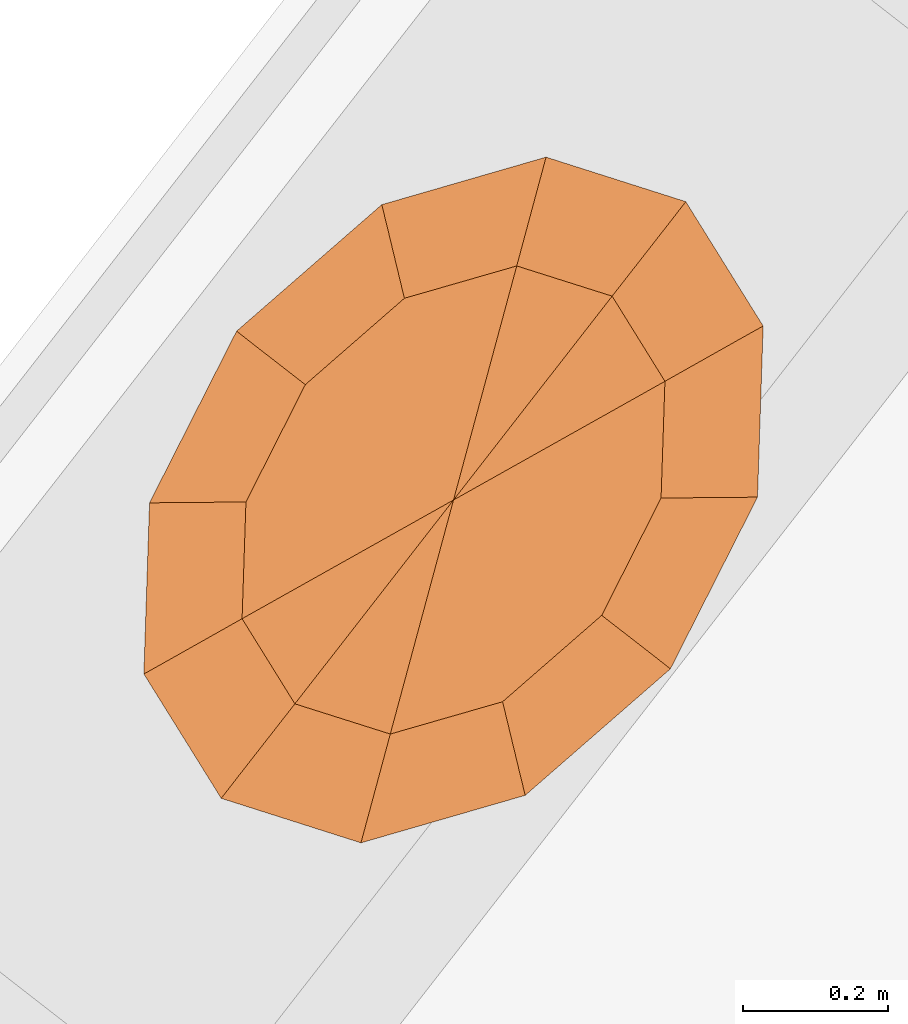
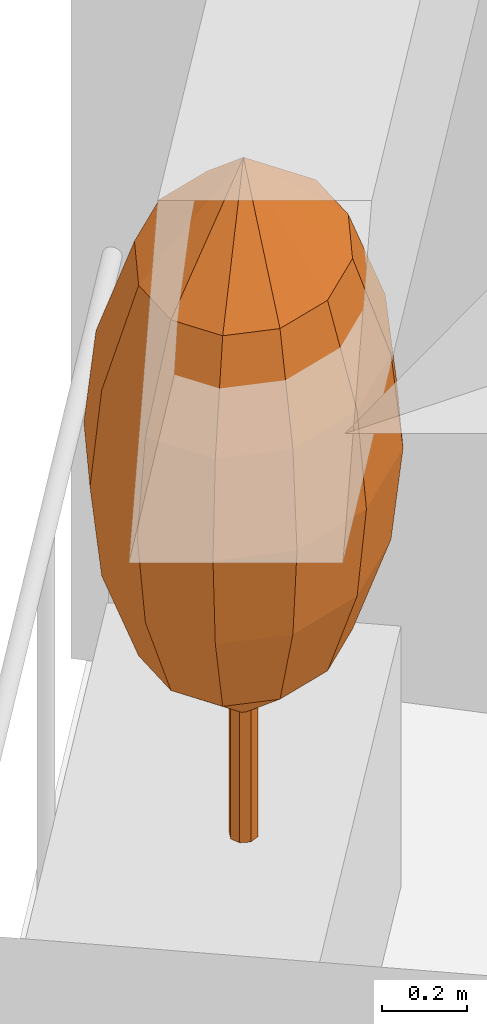
# One storey, part 12 of 12: 1 geographic element.
"""IFC4 building model written with IfcOpenShell, lengths in metres."""

from ifc_helpers import new_model, si_unit, direction, frame, origin, place, context, subcontext, project, spatial, faceted_brep, material, constituent, constituent_set, type_object, element, save


model = new_model("IFC4")

# Units and contexts
model_context = context("Model", 3, precision=1e-05, world=origin(), true_north=direction((0.0, 1.0)))
body_context = subcontext(model_context, "Body", "Model", "MODEL_VIEW")
ifc_project = project(units=[si_unit("LENGTHUNIT", "METRE"), si_unit("AREAUNIT", "SQUARE_METRE"), si_unit("VOLUMEUNIT", "CUBIC_METRE"), si_unit("PLANEANGLEUNIT", "RADIAN"), si_unit("MASSUNIT", "GRAM", prefix="KILO")], contexts=[model_context])

# Site, building, storey
site_placement = place(None, origin())
site = spatial("IfcSite", under=ifc_project, at=site_placement, CompositionType="ELEMENT")
building_placement = place(site_placement, origin())
building = spatial("IfcBuilding", under=site, at=building_placement, Name="Taillehof Tower", CompositionType="ELEMENT")
storey_placement = place(building_placement, frame((0.0, 0.0, 202.39990234375)))
storey = spatial("IfcBuildingStorey", under=building, at=storey_placement, Name="L57", CompositionType="ELEMENT", Elevation=202.39990234375)

# Geographic element
ifc_material_1 = material(Name="Tree bark", Category="timber")
ifc_constituent_1 = constituent(ifc_material_1, Name="Trunk", Category="timber")
ifc_material_2 = material(Name="Tree foliage")
ifc_constituent_2 = constituent(ifc_material_2, Name="Crown")
ifc_constituent_set = constituent_set(constituents=[ifc_constituent_1, ifc_constituent_2], Name="Tree TR2 Fastigiate yew")
geographic_element_type = type_object("IfcGeographicElementType", Name="Tree TR2 Fastigiate yew", PredefinedType="USERDEFINED", material=ifc_constituent_set)
geographic_element_placement = place(storey_placement, frame((-20.50341796875, 14.267822265625, 0.75)))
element("IfcGeographicElement", 1, at=geographic_element_placement, inside=storey, type_object=geographic_element_type, Name="Tree TR2 Fastigiate yew", ObjectType="TREE", PredefinedType="USERDEFINED", context=body_context, shape_type="Brep", body=[
    faceted_brep([(0.034912109375, 0.0, 0.0), (0.024658203125, 0.024658203125, 0.0), (0.024658203125, 0.024658203125, 0.909912109375), (0.034912109375, 0.0, 0.909912109375), (0.0, 0.034912109375, 0.0), (0.0, 0.034912109375, 0.909912109375), (-0.024658203125, 0.024658203125, 0.0), (-0.024658203125, 0.024658203125, 0.909912109375), (-0.034912109375, 0.0, 0.0), (-0.034912109375, 0.0, 0.909912109375), (-0.024658203125, -0.024658203125, 0.0), (-0.024658203125, -0.024658203125, 0.909912109375), (0.0, -0.034912109375, 0.0), (0.0, -0.034912109375, 0.909912109375), (0.024658203125, -0.024658203125, 0.0), (0.024658203125, -0.024658203125, 0.909912109375)], [[[0, 1, 2, 3]], [[1, 4, 5, 2]], [[4, 6, 7, 5]], [[6, 8, 9, 7]], [[8, 10, 11, 9]], [[10, 12, 13, 11]], [[12, 14, 15, 13]], [[14, 0, 3, 15]], [[14, 12, 10, 8, 6, 4, 1, 0]], [[3, 2, 5, 7, 9, 11, 13, 15]]]),
    faceted_brep([(0.0, 0.0, 0.35009765625), (-0.08740234375, -0.323486328125, 0.61669921875), (-0.21923828125, -0.28173828125, 0.61669921875), (0.06787109375, -0.27880859375, 0.61669921875), (0.204833984375, -0.159423828125, 0.61669921875), (0.286865234375, 0.002685546875, 0.61669921875), (0.292236328125, 0.1640625, 0.61669921875), (0.21923828125, 0.28173828125, 0.61669921875), (0.08740234375, 0.323486328125, 0.61669921875), (-0.06787109375, 0.27880859375, 0.61669921875), (-0.204833984375, 0.159423828125, 0.61669921875), (-0.286865234375, -0.002685546875, 0.61669921875), (-0.292236328125, -0.1640625, 0.61669921875), (-0.1181640625, -0.437744140625, 0.88330078125), (-0.296630859375, -0.380859375, 0.88330078125), (0.091552734375, -0.377197265625, 0.88330078125), (0.277099609375, -0.215576171875, 0.88330078125), (0.38818359375, 0.003662109375, 0.88330078125), (0.395263671875, 0.22216796875, 0.88330078125), (0.296630859375, 0.380859375, 0.88330078125), (0.1181640625, 0.437744140625, 0.88330078125), (-0.091552734375, 0.377197265625, 0.88330078125), (-0.277099609375, 0.215576171875, 0.88330078125), (-0.38818359375, -0.003662109375, 0.88330078125), (-0.395263671875, -0.22216796875, 0.88330078125), (-0.1279296875, -0.473876953125, 1.14990234375), (-0.321044921875, -0.412353515625, 1.14990234375), (0.09912109375, -0.408203125, 1.14990234375), (0.2998046875, -0.2333984375, 1.14990234375), (0.420166015625, 0.00390625, 1.14990234375), (0.427978515625, 0.240478515625, 1.14990234375), (0.321044921875, 0.412353515625, 1.14990234375), (0.1279296875, 0.473876953125, 1.14990234375), (-0.09912109375, 0.408203125, 1.14990234375), (-0.2998046875, 0.2333984375, 1.14990234375), (-0.420166015625, -0.00390625, 1.14990234375), (-0.427978515625, -0.240478515625, 1.14990234375), (-0.1181640625, -0.437744140625, 1.416748046875), (-0.296630859375, -0.380859375, 1.416748046875), (0.091552734375, -0.377197265625, 1.416748046875), (0.277099609375, -0.215576171875, 1.416748046875), (0.38818359375, 0.003662109375, 1.416748046875), (0.395263671875, 0.22216796875, 1.416748046875), (0.296630859375, 0.380859375, 1.416748046875), (0.1181640625, 0.437744140625, 1.416748046875), (-0.091552734375, 0.377197265625, 1.416748046875), (-0.277099609375, 0.215576171875, 1.416748046875), (-0.38818359375, -0.003662109375, 1.416748046875), (-0.395263671875, -0.22216796875, 1.416748046875), (-0.08740234375, -0.323486328125, 1.683349609375), (-0.21923828125, -0.28173828125, 1.683349609375), (0.06787109375, -0.27880859375, 1.683349609375), (0.204833984375, -0.159423828125, 1.683349609375), (0.286865234375, 0.002685546875, 1.683349609375), (0.292236328125, 0.1640625, 1.683349609375), (0.21923828125, 0.28173828125, 1.683349609375), (0.08740234375, 0.323486328125, 1.683349609375), (-0.06787109375, 0.27880859375, 1.683349609375), (-0.204833984375, 0.159423828125, 1.683349609375), (-0.286865234375, -0.002685546875, 1.683349609375), (-0.292236328125, -0.1640625, 1.683349609375), (0.0, 0.0, 1.949951171875)], [[[0, 1, 2]], [[0, 3, 1]], [[0, 4, 3]], [[0, 5, 4]], [[0, 6, 5]], [[0, 7, 6]], [[0, 8, 7]], [[0, 9, 8]], [[0, 10, 9]], [[0, 11, 10]], [[0, 12, 11]], [[0, 2, 12]], [[2, 1, 13, 14]], [[1, 3, 15, 13]], [[3, 4, 16, 15]], [[4, 5, 17, 16]], [[5, 6, 18, 17]], [[6, 7, 19, 18]], [[7, 8, 20, 19]], [[8, 9, 21, 20]], [[9, 10, 22, 21]], [[10, 11, 23, 22]], [[11, 12, 24, 23]], [[12, 2, 14, 24]], [[14, 13, 25, 26]], [[13, 15, 27, 25]], [[15, 16, 28, 27]], [[16, 17, 29, 28]], [[17, 18, 30, 29]], [[18, 19, 31, 30]], [[19, 20, 32, 31]], [[20, 21, 33, 32]], [[21, 22, 34, 33]], [[22, 23, 35, 34]], [[23, 24, 36, 35]], [[24, 14, 26, 36]], [[26, 25, 37, 38]], [[25, 27, 39, 37]], [[27, 28, 40, 39]], [[28, 29, 41, 40]], [[29, 30, 42, 41]], [[30, 31, 43, 42]], [[31, 32, 44, 43]], [[32, 33, 45, 44]], [[33, 34, 46, 45]], [[34, 35, 47, 46]], [[35, 36, 48, 47]], [[36, 26, 38, 48]], [[38, 37, 49, 50]], [[37, 39, 51, 49]], [[39, 40, 52, 51]], [[40, 41, 53, 52]], [[41, 42, 54, 53]], [[42, 43, 55, 54]], [[43, 44, 56, 55]], [[44, 45, 57, 56]], [[45, 46, 58, 57]], [[46, 47, 59, 58]], [[47, 48, 60, 59]], [[48, 38, 50, 60]], [[50, 49, 61]], [[49, 51, 61]], [[51, 52, 61]], [[52, 53, 61]], [[53, 54, 61]], [[54, 55, 61]], [[55, 56, 61]], [[56, 57, 61]], [[57, 58, 61]], [[58, 59, 61]], [[59, 60, 61]], [[60, 50, 61]]]),
])

save(model, "model.ifc")
